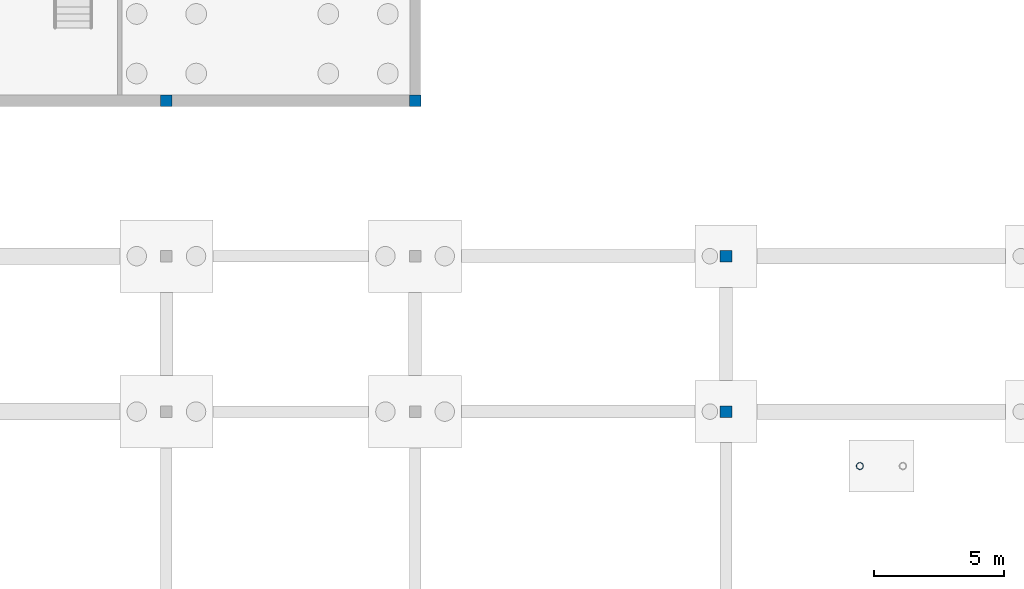
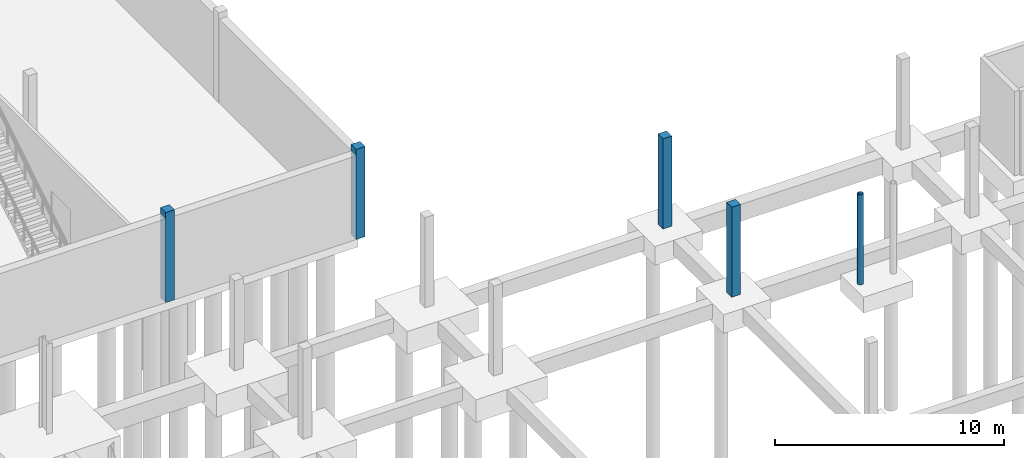
# One storey, part 12 of 31: 5 columns.
"""IFC4 building model written with IfcOpenShell, lengths in metres."""

from ifc_helpers import new_model, si_unit, direction, frame, origin, origin_2d, place, context, subcontext, project, spatial, rectangle, hollow_circle, extrude, material, material_profile, profile_set, type_object, element, save


model = new_model("IFC4")

# Units and contexts
model_context = context("Model", 3, precision=1e-05, world=origin(), true_north=direction((0.0, 1.0)))
body_context = subcontext(model_context, "Body", "Model", "MODEL_VIEW")
ifc_project = project(units=[si_unit("LENGTHUNIT", "METRE"), si_unit("AREAUNIT", "SQUARE_METRE"), si_unit("VOLUMEUNIT", "CUBIC_METRE"), si_unit("PLANEANGLEUNIT", "RADIAN"), si_unit("MASSUNIT", "GRAM", prefix="KILO")], contexts=[model_context])

# Site, building, storey
site_placement = place(None, origin())
site = spatial("IfcSite", under=ifc_project, at=site_placement, CompositionType="ELEMENT")
building_placement = place(site_placement, origin())
building = spatial("IfcBuilding", under=site, at=building_placement, Name="Merenkruunu Market Hall", CompositionType="ELEMENT")
storey_placement = place(building_placement, frame((0.0, 0.0, -4.800048828125)))
storey = spatial("IfcBuildingStorey", under=building, at=storey_placement, Name="B1", CompositionType="ELEMENT", Elevation=-4.800048828125)

# Columns
ifc_material_1 = material(Name="Steel S355ML", Category="steel")
ifc_material_profile_1 = material_profile(ifc_material_1, hollow_circle(Radius=0.136474609375, WallThickness=0.012451171875, at=origin_2d()), Name="CHS 273x12.5")
ifc_profile_set_1 = profile_set([ifc_material_profile_1], Name="Steel S355ML")
column_type_1 = type_object("IfcColumnType", Name="Structural Column C14", PredefinedType="COLUMN", material=ifc_profile_set_1)
column_placement = place(storey_placement, frame((93.969970703125, 37.5, 0.0), z_axis=(0.0, 0.0, 1.0), x_axis=(1.0, 0.0, 0.0)))
element("IfcColumn", 1, at=column_placement, inside=storey, type_object=column_type_1, Name="COL-FST-4-1-B1", PredefinedType="COLUMN", context=body_context, shape_type="SweptSolid", body=[
    extrude(hollow_circle(Radius=0.136474609375, WallThickness=0.012451171875, at=origin_2d()), origin(), (0.0, 0.0, 1.0), 4.800048828125),
])
ifc_material_2 = material(Name="Concrete C35/45", Category="concrete")
ifc_material_profile_2 = material_profile(ifc_material_2, rectangle(XDim=0.449951171875, YDim=0.449951171875, at=origin_2d()), Name="RC 450x450")
ifc_profile_set_2 = profile_set([ifc_material_profile_2], Name="Concrete C35/45")
column_type_2 = type_object("IfcColumnType", Name="Structural Column C19", PredefinedType="COLUMN", material=ifc_profile_set_2)
for number, where, z_axis, x_axis, name in (
    (2, (67.199951171875, 51.60009765625, 0.0), (0.0, 0.0, 1.0), (1.0, 0.0, 0.0), "COL-B1-H-07"),
    (3, (76.800048828125, 51.60009765625, 0.0), (0.0, 0.0, 1.0), (1.0, 0.0, 0.0), "COL-B1-J-07"),
    (4, (88.800048828125, 39.60009765625, 0.0), (0.0, 0.0, 1.0), (1.0, 0.0, 0.0), "COL-B1-K-05"),
    (5, (88.800048828125, 45.60009765625, 0.0), (0.0, 0.0, 1.0), (1.0, 0.0, 0.0), "COL-B1-K-06"),
):
    element("IfcColumn", number, at=place(storey_placement, frame(where, z_axis=z_axis, x_axis=x_axis)), inside=storey, type_object=column_type_2, Name=name, PredefinedType="COLUMN", context=body_context, shape_type="SweptSolid", body=[
        extrude(rectangle(XDim=0.449951171875, YDim=0.449951171875, at=origin_2d()), origin(), (0.0, 0.0, 1.0), 4.800048828125),
    ])

save(model, "model.ifc")
